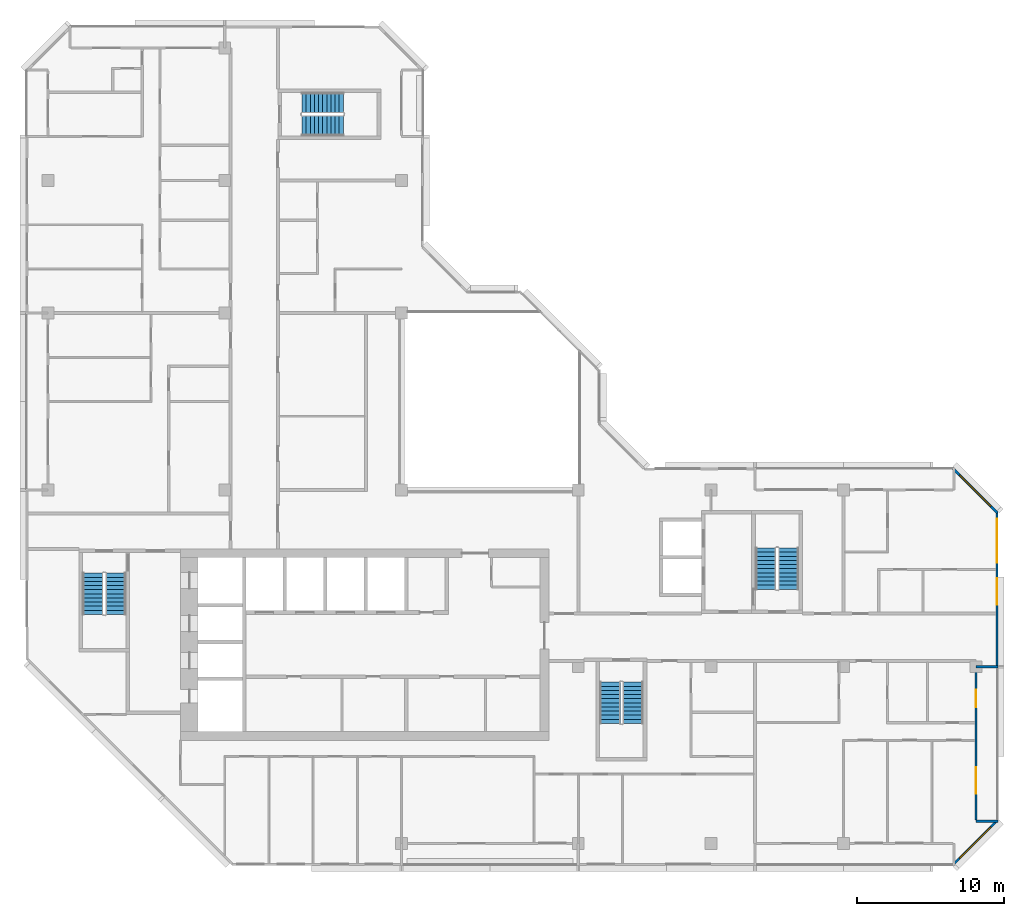
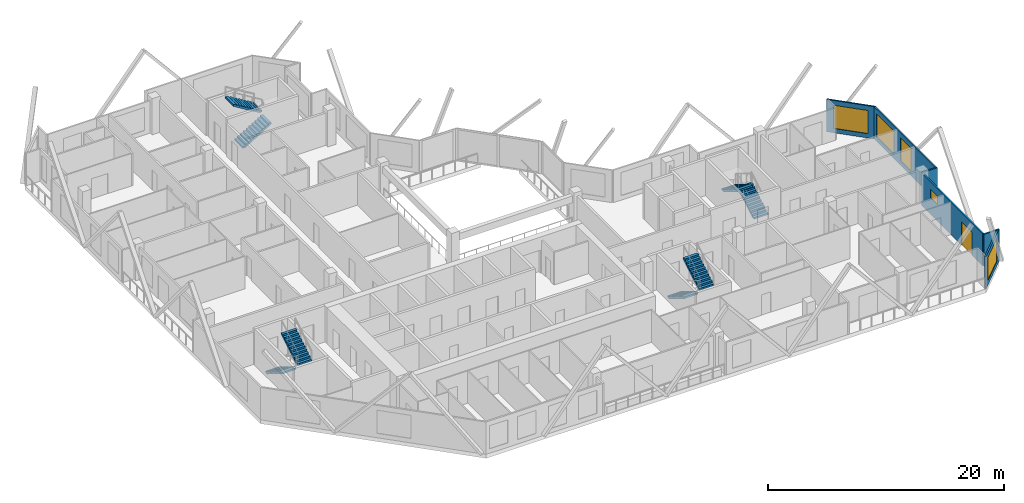
# One storey, part 11 of 13: 8 stair flights, 6 walls, 5 windows, 1 door, 6 openings, 4 elements without a shape of their own.
"""IFC4 building model written with IfcOpenShell, lengths in metres."""

import ifcopenshell
import ifcopenshell.guid

model = None  # the IFC model being written
_history = None  # IfcOwnerHistory: only IFC2X3 demands one
_inside = {}  # id of a spatial element -> (the spatial element, [elements in it])
_under = {}  # id of a project, library or spatial element -> (it, [spatial elements below it])
_declared = {}  # id of a project -> (the project, [libraries it declares])
_typed = {}  # id of a type object -> (the type object, [elements of that type])
_made_of = {}  # id of a material, layer set ... -> (it, [elements and type objects made of it])


def new_model(schema):
    """Start an empty IFC model of exactly this schema.

    Asked for "IFC4X3", IfcOpenShell would pick the latest addendum, in which some entities
    have other attributes; the version numbers below select the first issue.
    IFC2X3 requires an IfcOwnerHistory on every rooted entity: one is made here for all.
    """
    global model, _history
    if schema == "IFC4X3":
        model = ifcopenshell.file(schema_version=(4, 3, 0, 0))
    else:
        model = ifcopenshell.file(schema=schema)
    _inside.clear()
    _under.clear()
    _declared.clear()
    _typed.clear()
    _made_of.clear()
    _history = None
    if model.schema == "IFC2X3":
        org = make("IfcOrganization", Name="unknown")
        user = make(
            "IfcPersonAndOrganization",
            ThePerson=make("IfcPerson", FamilyName="unknown"),
            TheOrganization=org,
        )
        app = make(
            "IfcApplication",
            ApplicationDeveloper=org,
            Version="unknown",
            ApplicationFullName="unknown",
            ApplicationIdentifier="unknown",
        )
        _history = make(
            "IfcOwnerHistory",
            OwningUser=user,
            OwningApplication=app,
            ChangeAction="ADDED",
            CreationDate=0,
        )
    return model


def make(cls, **values):
    """One entity of the class cls with the attributes given. An attribute that is None is left unset."""
    return model.create_entity(
        cls, **{name: value for name, value in values.items() if value is not None}
    )


def rooted(cls, **values):
    """An entity with a GlobalId (a new one), such as an element, a storey or a relation."""
    return make(cls, GlobalId=ifcopenshell.guid.new(), OwnerHistory=_history, **values)


def si_unit(unit_type, name, prefix=None):
    """IfcSIUnit, for example si_unit("LENGTHUNIT", "METRE", prefix="MILLI")."""
    return make("IfcSIUnit", UnitType=unit_type, Prefix=prefix, Name=name)


def assignment(units):
    """IfcUnitAssignment: the units of a project."""
    return None if units is None else make("IfcUnitAssignment", Units=units)


def point(xyz):
    """IfcCartesianPoint."""
    return None if xyz is None else make("IfcCartesianPoint", Coordinates=xyz)


def direction(xyz):
    """IfcDirection."""
    return None if xyz is None else make("IfcDirection", DirectionRatios=xyz)


def frame(location, z_axis=None, x_axis=None):
    """IfcAxis2Placement3D, a coordinate frame: its origin and axes. An axis left out is left unset."""
    return make(
        "IfcAxis2Placement3D",
        Location=point(location),
        Axis=direction(z_axis),
        RefDirection=direction(x_axis),
    )


def frame_2d(location, x_axis=None):
    """IfcAxis2Placement2D, a coordinate frame in the plane: its origin and x axis."""
    return make(
        "IfcAxis2Placement2D", Location=point(location), RefDirection=direction(x_axis)
    )


def origin():
    """The frame at (0, 0, 0) with its axes left unset."""
    return frame((0.0, 0.0, 0.0))


def place(relative_to, where):
    """IfcLocalPlacement: puts the frame where relative to a parent placement (None: the world)."""
    return make(
        "IfcLocalPlacement", PlacementRelTo=relative_to, RelativePlacement=where
    )


def context(
    kind, dimensions, precision=None, world=None, true_north=None, identifier=None
):
    """IfcGeometricRepresentationContext, for example the 3D "Model" context."""
    return make(
        "IfcGeometricRepresentationContext",
        ContextIdentifier=identifier,
        ContextType=kind,
        CoordinateSpaceDimension=dimensions,
        Precision=precision,
        WorldCoordinateSystem=world,
        TrueNorth=true_north,
    )


def subcontext(parent, identifier, kind, view, scale=None):
    """IfcGeometricRepresentationSubContext, for example "Body" below "Model"."""
    return make(
        "IfcGeometricRepresentationSubContext",
        ContextIdentifier=identifier,
        ContextType=kind,
        ParentContext=parent,
        TargetScale=scale,
        TargetView=view,
    )


def project(units=None, contexts=None):
    """IfcProject with its units and contexts."""
    return rooted(
        "IfcProject",
        Name="project",
        RepresentationContexts=contexts,
        UnitsInContext=assignment(units),
    )


def spatial(cls, under=None, at=None, **own):
    """A site, building, storey or space (cls), placed at a placement, below another one or the project."""
    s = rooted(cls, ObjectPlacement=at, **own)
    if under is not None:
        _under.setdefault(under.id(), (under, []))[1].append(s)
    return s


def polyline(points):
    """IfcPolyline through the points."""
    return make("IfcPolyline", Points=[point(p) for p in points])


def profile(cls, at=None, kind="AREA", **sizes):
    """A parametric profile (cls). Its sizes go by their IFC names, for example OverallWidth=200.0."""
    return make(cls, ProfileType=kind, Position=at, **sizes)


def rectangle(**sizes):
    """IfcRectangleProfileDef."""
    return profile("IfcRectangleProfileDef", **sizes)


def outline(outer, holes=None, kind="AREA"):
    """IfcArbitraryClosedProfileDef: a profile drawn as a closed curve; with holes, ...WithVoids."""
    if holes is None:
        return make("IfcArbitraryClosedProfileDef", ProfileType=kind, OuterCurve=outer)
    return make(
        "IfcArbitraryProfileDefWithVoids",
        ProfileType=kind,
        OuterCurve=outer,
        InnerCurves=holes,
    )


def extrude(swept, where, along, depth):
    """IfcExtrudedAreaSolid: the profile swept, set in the frame where, extruded along a direction by depth."""
    return make(
        "IfcExtrudedAreaSolid",
        SweptArea=swept,
        Position=where,
        ExtrudedDirection=direction(along),
        Depth=depth,
    )


def shape(context_of_items, identifier, shape_type, items):
    """IfcShapeRepresentation: the items that make up one representation, for example the "Body"."""
    return make(
        "IfcShapeRepresentation",
        ContextOfItems=context_of_items,
        RepresentationIdentifier=identifier,
        RepresentationType=shape_type,
        Items=items,
    )


def material(Name=None, Category=None):
    """IfcMaterial."""
    return make("IfcMaterial", Name=Name, Category=Category)


def layer(
    of_material, thickness, ventilated=None, Name=None, Category=None, Priority=None
):
    """IfcMaterialLayer: one layer of a wall or slab, of a material (None: an air gap)."""
    return make(
        "IfcMaterialLayer",
        Material=of_material,
        LayerThickness=thickness,
        IsVentilated=ventilated,
        Name=Name,
        Category=Category,
        Priority=Priority,
    )


def layer_set(layers, Name=None):
    """IfcMaterialLayerSet."""
    return make("IfcMaterialLayerSet", MaterialLayers=layers, LayerSetName=Name)


def made_of(thing, what):
    """Note that an element or type object is made of a material, layer set ...; save() writes the relation."""
    if what is not None:
        _made_of.setdefault(what.id(), (what, []))[1].append(thing)
    return thing


def type_object(cls, material=None, **own):
    """A type object (cls), such as IfcWallType, which elements share."""
    return made_of(rooted(cls, **own), material)


def element(
    cls,
    number,
    at=None,
    inside=None,
    cuts=None,
    type_object=None,
    material=None,
    context=None,
    identifier="Body",
    shape_type=None,
    held_by="IfcProductDefinitionShape",
    body=None,
    shapes=None,
    **own,
):
    """One element of the class cls, such as IfcWall. Its Tag is "e" and its number.

    at: its placement. inside: the storey or other place that contains it. cuts: it is an
    opening in that element (IfcRelVoidsElement). A single representation is given by context,
    identifier, shape_type and body (its items); several are given by shapes. held_by: the class
    of the entity that holds the representations. save() writes the other relations.
    """
    e = rooted(cls, Tag="e%d" % number, ObjectPlacement=at, **own)
    if body is not None:
        shapes = [shape(context, identifier, shape_type, body)]
    if shapes is not None:
        e.Representation = make(held_by, Representations=shapes)
    if inside is not None:
        _inside.setdefault(inside.id(), (inside, []))[1].append(e)
    if cuts is not None:
        rooted(
            "IfcRelVoidsElement", RelatingBuildingElement=cuts, RelatedOpeningElement=e
        )
    if type_object is not None:
        _typed.setdefault(type_object.id(), (type_object, []))[1].append(e)
    return made_of(e, material)


def fill(opening, filler):
    """IfcRelFillsElement: the door or window that sits in an opening."""
    return rooted(
        "IfcRelFillsElement",
        RelatingOpeningElement=opening,
        RelatedBuildingElement=filler,
    )


def aggregate(whole, parts):
    """IfcRelAggregates: a whole, such as a stair, and the parts it consists of."""
    return rooted("IfcRelAggregates", RelatingObject=whole, RelatedObjects=parts)


def save(model, path):
    """Write the relations noted so far, then the file.

    IfcRelAggregates (storeys below a building ...), IfcRelContainedInSpatialStructure (elements
    in a storey), IfcRelDefinesByType, IfcRelAssociatesMaterial and IfcRelDeclares: one each for
    every whole, place, type object, material and project.
    """
    for whole, parts in _under.values():
        aggregate(whole, parts)
    for where, things in _inside.values():
        rooted(
            "IfcRelContainedInSpatialStructure",
            RelatedElements=things,
            RelatingStructure=where,
        )
    for kind, things in _typed.values():
        rooted("IfcRelDefinesByType", RelatedObjects=things, RelatingType=kind)
    for what, things in _made_of.values():
        rooted("IfcRelAssociatesMaterial", RelatedObjects=things, RelatingMaterial=what)
    for by, libraries in _declared.values():
        rooted("IfcRelDeclares", RelatingContext=by, RelatedDefinitions=libraries)
    model.write(path)


model = new_model("IFC4")

# Units and contexts
model_context = context("Model", 3, precision=1e-05, world=origin(), true_north=direction((0.0, 1.0)))
body_context = subcontext(model_context, "Body", "Model", "MODEL_VIEW")
ifc_project = project(units=[si_unit("LENGTHUNIT", "METRE"), si_unit("AREAUNIT", "SQUARE_METRE"), si_unit("VOLUMEUNIT", "CUBIC_METRE"), si_unit("PLANEANGLEUNIT", "RADIAN"), si_unit("MASSUNIT", "GRAM", prefix="KILO")], contexts=[model_context])

# Site, building, storey
site_placement = place(None, origin())
site = spatial("IfcSite", under=ifc_project, at=site_placement, CompositionType="ELEMENT")
building_placement = place(site_placement, origin())
building = spatial("IfcBuilding", under=site, at=building_placement, Name="Chenar Terraces", CompositionType="ELEMENT")
storey_placement = place(building_placement, frame((0.0, 0.0, 273.39990234375)))
storey = spatial("IfcBuildingStorey", under=building, at=storey_placement, Name="L63", CompositionType="ELEMENT", Elevation=273.39990234375)

# Wall, openings, windows
ifc_material_1 = material(Name="Aluminium framed glazing", Category="aluminium")
ifc_layer_1 = layer(ifc_material_1, 0.14990234375)
ifc_layer_set_1 = layer_set([ifc_layer_1], Name="Aluminium framed glazing")
wall_type_1 = type_object("IfcWallType", Name="Glazed flush facade wall 150", PredefinedType="SOLIDWALL", material=ifc_layer_set_1)
wall_1_placement = place(storey_placement, frame((64.425048828125, 12.074951171875, 0.0), z_axis=(0.0, 0.0, 1.0), x_axis=(0.0, 1.0, 0.0)))
wall_1 = element("IfcWall", 1, at=wall_1_placement, inside=storey, type_object=wall_type_1, Name="Glazed flush facade wall", PredefinedType="SOLIDWALL", context=body_context, shape_type="SweptSolid", body=[
    extrude(rectangle(XDim=10.425048828125, YDim=0.14990234375, at=frame_2d((5.21240234375, 0.0))), origin(), (0.0, 0.0, 1.0), 3.35009765625),
])
opening_1_placement = place(wall_1_placement, frame((4.125, 0.0, 0.449951171875)))
opening_1 = element("IfcOpeningElement", 2, at=opening_1_placement, cuts=wall_1, Name="Opening W180x240", PredefinedType="OPENING", context=body_context, shape_type="SweptSolid", body=[
    extrude(rectangle(XDim=1.800048828125, YDim=2.39990234375, at=frame_2d((0.89990234375, 1.199951171875))), frame((0.0, 0.0849609375, 0.0), z_axis=(0.0, -1.0, 0.0), x_axis=(1.0, 0.0, 0.0)), (0.0, 0.0, 1.0), 0.169921875),
])
opening_2_placement = place(wall_1_placement, frame((6.97509765625, 0.0, 0.449951171875)))
opening_2 = element("IfcOpeningElement", 3, at=opening_2_placement, cuts=wall_1, Name="Opening W300x240", PredefinedType="OPENING", context=body_context, shape_type="SweptSolid", body=[
    extrude(rectangle(XDim=3.0, YDim=2.39990234375, at=frame_2d((1.5, 1.199951171875))), frame((0.0, 0.0849609375, 0.0), z_axis=(0.0, -1.0, 0.0), x_axis=(1.0, 0.0, 0.0)), (0.0, 0.0, 1.0), 0.169921875),
])
ifc_material_2 = material(Name="Low emissivity double glazing, aluminium frame", Category="aluminium")
window_type_1 = type_object("IfcWindowType", Name="Fixed light 1800 x 2400", PartitioningType="SINGLE_PANEL", PredefinedType="WINDOW", material=ifc_material_2)
window_1_placement = place(opening_1_placement, origin())
window_1 = element("IfcWindow", 4, at=window_1_placement, inside=storey, type_object=window_type_1, Name="Window", OverallHeight=2.39990234375, OverallWidth=1.800048828125, PartitioningType="SINGLE_PANEL", PredefinedType="WINDOW", context=body_context, shape_type="SweptSolid", body=[
    extrude(rectangle(XDim=1.800048828125, YDim=2.39990234375, at=frame_2d((0.89990234375, 1.199951171875))), frame((0.0, 0.030029296875, 0.0), z_axis=(0.0, -1.0, 0.0), x_axis=(1.0, 0.0, 0.0)), (0.0, 0.0, 1.0), 0.06005859375),
])
fill(opening_1, window_1)
ifc_material_3 = material(Name="Low emissivity double glazing, aluminium frame", Category="aluminium")
window_type_2 = type_object("IfcWindowType", Name="Fixed light 3000 x 2400", PartitioningType="SINGLE_PANEL", PredefinedType="WINDOW", material=ifc_material_3)
window_2_placement = place(opening_2_placement, origin())
window_2 = element("IfcWindow", 5, at=window_2_placement, inside=storey, type_object=window_type_2, Name="Window", OverallHeight=2.39990234375, OverallWidth=3.0, PartitioningType="SINGLE_PANEL", PredefinedType="WINDOW", context=body_context, shape_type="SweptSolid", body=[
    extrude(rectangle(XDim=3.0, YDim=2.39990234375, at=frame_2d((1.5, 1.199951171875))), frame((0.0, 0.030029296875, 0.0), z_axis=(0.0, -1.0, 0.0), x_axis=(1.0, 0.0, 0.0)), (0.0, 0.0, 1.0), 0.06005859375),
])
fill(opening_2, window_2)

# Wall, openings, window, door
ifc_material_4 = material(Name="Aluminium framed glazing", Category="aluminium")
ifc_layer_2 = layer(ifc_material_4, 0.14990234375)
ifc_layer_set_2 = layer_set([ifc_layer_2], Name="Aluminium framed glazing")
wall_type_2 = type_object("IfcWallType", Name="Glazed loggia back wall 150", PredefinedType="SOLIDWALL", material=ifc_layer_set_2)
wall_2_placement = place(storey_placement, frame((63.0, 1.574951171875, 0.0), z_axis=(0.0, 0.0, 1.0), x_axis=(0.0, 1.0, 0.0)))
wall_2 = element("IfcWall", 6, at=wall_2_placement, inside=storey, type_object=wall_type_2, Name="Glazed loggia back wall", PredefinedType="SOLIDWALL", context=body_context, shape_type="SweptSolid", body=[
    extrude(rectangle(XDim=10.35009765625, YDim=0.14990234375, at=frame_2d((5.175048828125, 0.0))), origin(), (0.0, 0.0, 1.0), 3.35009765625),
])
opening_3_placement = place(wall_2_placement, frame((1.8125, 0.0, 0.0)))
opening_3 = element("IfcOpeningElement", 7, at=opening_3_placement, cuts=wall_2, Name="Opening DL63-G6", PredefinedType="OPENING", context=body_context, shape_type="SweptSolid", body=[
    extrude(rectangle(XDim=1.800048828125, YDim=2.39990234375, at=frame_2d((0.89990234375, 1.199951171875))), frame((0.0, 0.0849609375, 0.0), z_axis=(0.0, -1.0, 0.0), x_axis=(1.0, 0.0, 0.0)), (0.0, 0.0, 1.0), 0.169921875),
])
opening_4_placement = place(wall_2_placement, frame((7.675048828125, 0.0, 1.699951171875)))
opening_4 = element("IfcOpeningElement", 8, at=opening_4_placement, cuts=wall_2, Name="Opening W120x90", PredefinedType="OPENING", context=body_context, shape_type="SweptSolid", body=[
    extrude(rectangle(XDim=1.199951171875, YDim=0.89990234375, at=frame_2d((0.60009765625, 0.449951171875))), frame((0.0, 0.0849609375, 0.0), z_axis=(0.0, -1.0, 0.0), x_axis=(1.0, 0.0, 0.0)), (0.0, 0.0, 1.0), 0.169921875),
])
ifc_material_5 = material(Name="Low emissivity double glazing, aluminium frame", Category="aluminium")
window_type_3 = type_object("IfcWindowType", Name="Fixed light 1200 x 900", PartitioningType="SINGLE_PANEL", PredefinedType="WINDOW", material=ifc_material_5)
window_3_placement = place(opening_4_placement, origin())
window_3 = element("IfcWindow", 9, at=window_3_placement, inside=storey, type_object=window_type_3, Name="Window", OverallHeight=0.89990234375, OverallWidth=1.199951171875, PartitioningType="SINGLE_PANEL", PredefinedType="WINDOW", context=body_context, shape_type="SweptSolid", body=[
    extrude(rectangle(XDim=1.199951171875, YDim=0.89990234375, at=frame_2d((0.60009765625, 0.449951171875))), frame((0.0, 0.030029296875, 0.0), z_axis=(0.0, -1.0, 0.0), x_axis=(1.0, 0.0, 0.0)), (0.0, 0.0, 1.0), 0.06005859375),
])
fill(opening_4, window_3)
ifc_material_6 = material(Name="Low emissivity double glazing, aluminium frame", Category="aluminium")
door_type = type_object("IfcDoorType", Name="Loggia glazed double door 1800 x 2400", OperationType="DOUBLE_DOOR_SINGLE_SWING", PredefinedType="DOOR", material=ifc_material_6)
door_placement = place(opening_3_placement, frame((1.800048828125, 0.0, 0.0), z_axis=(0.0, 0.0, 1.0), x_axis=(-1.0, 0.0, 0.0)))
door = element("IfcDoor", 10, at=door_placement, inside=storey, type_object=door_type, Name="Loggia glazed door", OperationType="DOUBLE_DOOR_SINGLE_SWING", OverallHeight=2.39990234375, OverallWidth=1.800048828125, PredefinedType="DOOR", context=body_context, shape_type="SweptSolid", body=[
    extrude(rectangle(XDim=1.800048828125, YDim=2.39990234375, at=frame_2d((0.89990234375, 1.199951171875))), frame((0.0, 0.02490234375, 0.0), z_axis=(0.0, -1.0, 0.0), x_axis=(1.0, 0.0, 0.0)), (0.0, 0.0, 1.0), 0.050048828125),
])
fill(opening_3, door)

# Walls
ifc_material_7 = material(Name="Terracotta cladding on insulated backing", Category="masonry")
ifc_layer_3 = layer(ifc_material_7, 0.14990234375)
ifc_layer_set_3 = layer_set([ifc_layer_3], Name="Terracotta cladding on insulated backing")
wall_type_3 = type_object("IfcWallType", Name="Loggia return wall 150", PredefinedType="SOLIDWALL", material=ifc_layer_set_3)
for number, where, z_axis, x_axis, name in (
    (11, (64.5, 1.5, 0.0), (0.0, 0.0, 1.0), (-1.0, 0.0, 0.0), "Loggia return wall"),
    (12, (64.5, 12.0, 0.0), (0.0, 0.0, 1.0), (-1.0, 0.0, 0.0), "Loggia return wall"),
):
    element("IfcWall", number, at=place(storey_placement, frame(where, z_axis=z_axis, x_axis=x_axis)), inside=storey, type_object=wall_type_3, Name=name, PredefinedType="SOLIDWALL", context=body_context, shape_type="SweptSolid", body=[
        extrude(rectangle(XDim=1.5, YDim=0.14990234375, at=frame_2d((0.75, 0.0))), origin(), (0.0, 0.0, 1.0), 3.35009765625),
    ])

# Wall, opening, window
ifc_material_8 = material(Name="Terracotta cladding on insulated backing", Category="masonry")
ifc_layer_4 = layer(ifc_material_8, 0.14990234375)
ifc_layer_set_4 = layer_set([ifc_layer_4], Name="Terracotta cladding on insulated backing")
wall_type_4 = type_object("IfcWallType", Name="Terracotta rainscreen wall 150", PredefinedType="SOLIDWALL", material=ifc_layer_set_4)
wall_3_placement = place(storey_placement, frame((61.447021484375, -1.447021484375, 0.0), z_axis=(0.0, 0.0, 1.0), x_axis=(0.707106781187, 0.707106781187, 0.0)))
wall_3 = element("IfcWall", 13, at=wall_3_placement, inside=storey, type_object=wall_type_4, Name="Terracotta rainscreen wall", PredefinedType="SOLIDWALL", context=body_context, shape_type="SweptSolid", body=[
    extrude(rectangle(XDim=4.24267578125, YDim=0.14990234375, at=frame_2d((2.121337890625, 0.0))), origin(), (0.0, 0.0, 1.0), 3.35009765625),
])
opening_5_placement = place(wall_3_placement, frame((0.621337890625, 0.0, 0.449951171875)))
opening_5 = element("IfcOpeningElement", 14, at=opening_5_placement, cuts=wall_3, Name="Opening W300x240", PredefinedType="OPENING", context=body_context, shape_type="SweptSolid", body=[
    extrude(rectangle(XDim=3.0, YDim=2.39990234375, at=frame_2d((1.5, 1.199951171875))), frame((0.0, 0.0849609375, 0.0), z_axis=(0.0, -1.0, 0.0), x_axis=(1.0, 0.0, 0.0)), (0.0, 0.0, 1.0), 0.169921875),
])
window_4_placement = place(opening_5_placement, origin())
window_4 = element("IfcWindow", 15, at=window_4_placement, inside=storey, type_object=window_type_2, Name="Window", OverallHeight=2.39990234375, OverallWidth=3.0, PartitioningType="SINGLE_PANEL", PredefinedType="WINDOW", context=body_context, shape_type="SweptSolid", body=[
    extrude(rectangle(XDim=3.0, YDim=2.39990234375, at=frame_2d((1.5, 1.199951171875))), frame((0.0, 0.030029296875, 0.0), z_axis=(0.0, -1.0, 0.0), x_axis=(1.0, 0.0, 0.0)), (0.0, 0.0, 1.0), 0.06005859375),
])
fill(opening_5, window_4)

wall_4_placement = place(storey_placement, frame((64.447021484375, 22.447021484375, 0.0), z_axis=(0.0, 0.0, 1.0), x_axis=(-0.707106781187, 0.707106781187, 0.0)))
wall_4 = element("IfcWall", 16, at=wall_4_placement, inside=storey, type_object=wall_type_4, Name="Terracotta rainscreen wall", PredefinedType="SOLIDWALL", context=body_context, shape_type="SweptSolid", body=[
    extrude(rectangle(XDim=4.24267578125, YDim=0.14990234375, at=frame_2d((2.121337890625, 0.0))), origin(), (0.0, 0.0, 1.0), 3.35009765625),
])
opening_6_placement = place(wall_4_placement, frame((0.621337890625, 0.0, 0.449951171875)))
opening_6 = element("IfcOpeningElement", 17, at=opening_6_placement, cuts=wall_4, Name="Opening W300x240", PredefinedType="OPENING", context=body_context, shape_type="SweptSolid", body=[
    extrude(rectangle(XDim=3.0, YDim=2.39990234375, at=frame_2d((1.5, 1.199951171875))), frame((0.0, 0.0849609375, 0.0), z_axis=(0.0, -1.0, 0.0), x_axis=(1.0, 0.0, 0.0)), (0.0, 0.0, 1.0), 0.169921875),
])
window_5_placement = place(opening_6_placement, origin())
window_5 = element("IfcWindow", 18, at=window_5_placement, inside=storey, type_object=window_type_2, Name="Window", OverallHeight=2.39990234375, OverallWidth=3.0, PartitioningType="SINGLE_PANEL", PredefinedType="WINDOW", context=body_context, shape_type="SweptSolid", body=[
    extrude(rectangle(XDim=3.0, YDim=2.39990234375, at=frame_2d((1.5, 1.199951171875))), frame((0.0, 0.030029296875, 0.0), z_axis=(0.0, -1.0, 0.0), x_axis=(1.0, 0.0, 0.0)), (0.0, 0.0, 1.0), 0.06005859375),
])
fill(opening_6, window_5)

# Stair, stair flights
ifc_material_9 = material(Name="Reinforced concrete C40/50", Category="concrete")
stair_type = type_object("IfcStairType", Name="Core stair 1400 half-turn", PredefinedType="HALF_TURN_STAIR", material=ifc_material_9)
placement = place(storey_placement, origin())
stair_1 = element("IfcStair", 19, at=placement, inside=storey, type_object=stair_type, Name="L63 Stair 1", PredefinedType="HALF_TURN_STAIR")
ifc_material_10 = material(Name="Reinforced concrete C40/50", Category="concrete")
stair_flight_type = type_object("IfcStairFlightType", Name="Core stair flight 1400", PredefinedType="STRAIGHT", material=ifc_material_10)
stair_flight_1_placement = place(storey_placement, frame((3.050048828125, 18.35009765625, 0.0), z_axis=(0.0, 0.0, 1.0), x_axis=(0.0, -1.0, 0.0)))
stair_flight_1 = element("IfcStairFlight", 20, at=stair_flight_1_placement, type_object=stair_flight_type, Name="ST1 flight 1", NumberOfRisers=11, NumberOfTreads=10, PredefinedType="STRAIGHT", RiserHeight=0.170454545, TreadLength=0.28, context=body_context, shape_type="SweptSolid", body=[
    extrude(outline(polyline([(-0.0029296875, 0.0), (-0.0029296875, 0.17041015625), (0.0, 0.17041015625), (0.280029296875, 0.17041015625), (0.280029296875, 0.3408203125), (0.56005859375, 0.3408203125), (0.56005859375, 0.511474609375), (0.840087890625, 0.511474609375), (0.840087890625, 0.681884765625), (1.1201171875, 0.681884765625), (1.1201171875, 0.852294921875), (1.39990234375, 0.852294921875), (1.39990234375, 1.022705078125), (1.679931640625, 1.022705078125), (1.679931640625, 1.193115234375), (1.9599609375, 1.193115234375), (1.9599609375, 1.363525390625), (2.239990234375, 1.363525390625), (2.239990234375, 1.5341796875), (2.52001953125, 1.5341796875), (2.52001953125, 1.70458984375), (2.800048828125, 1.70458984375), (2.802978515625, 1.70458984375), (2.802978515625, 1.529052734375), (2.800048828125, 1.529052734375), (0.288330078125, 0.0), (-0.0029296875, 0.0)])), frame((0.0, 0.699951171875, 0.0), z_axis=(0.0, -1.0, 0.0), x_axis=(1.0, 0.0, 0.0)), (0.0, 0.0, 1.0), 1.39990234375),
])
stair_flight_2_placement = place(storey_placement, frame((4.60009765625, 15.550048828125, 1.875), z_axis=(0.0, 0.0, 1.0), x_axis=(0.0, 1.0, 0.0)))
stair_flight_2 = element("IfcStairFlight", 21, at=stair_flight_2_placement, type_object=stair_flight_type, Name="ST1 flight 2", NumberOfRisers=11, NumberOfTreads=10, PredefinedType="STRAIGHT", RiserHeight=0.170454545, TreadLength=0.28, context=body_context, shape_type="SweptSolid", body=[
    extrude(outline(polyline([(-0.0029296875, 0.0), (-0.0029296875, 0.17041015625), (0.0, 0.17041015625), (0.280029296875, 0.17041015625), (0.280029296875, 0.3408203125), (0.56005859375, 0.3408203125), (0.56005859375, 0.511474609375), (0.840087890625, 0.511474609375), (0.840087890625, 0.681884765625), (1.1201171875, 0.681884765625), (1.1201171875, 0.852294921875), (1.39990234375, 0.852294921875), (1.39990234375, 1.022705078125), (1.679931640625, 1.022705078125), (1.679931640625, 1.193115234375), (1.9599609375, 1.193115234375), (1.9599609375, 1.363525390625), (2.239990234375, 1.363525390625), (2.239990234375, 1.5341796875), (2.52001953125, 1.5341796875), (2.52001953125, 1.70458984375), (2.800048828125, 1.70458984375), (2.802978515625, 1.70458984375), (2.802978515625, 1.529052734375), (2.800048828125, 1.529052734375), (0.288330078125, 0.0), (-0.0029296875, 0.0)])), frame((0.0, 0.699951171875, 0.0), z_axis=(0.0, -1.0, 0.0), x_axis=(1.0, 0.0, 0.0)), (0.0, 0.0, 1.0), 1.39990234375),
])
aggregate(stair_1, [stair_flight_1, stair_flight_2])

stair_2 = element("IfcStair", 22, at=placement, inside=storey, type_object=stair_type, Name="L63 Stair 2", PredefinedType="HALF_TURN_STAIR")
stair_flight_3_placement = place(storey_placement, frame((38.14990234375, 10.949951171875, 0.0), z_axis=(0.0, 0.0, 1.0), x_axis=(0.0, -1.0, 0.0)))
stair_flight_3 = element("IfcStairFlight", 23, at=stair_flight_3_placement, type_object=stair_flight_type, Name="ST2 flight 1", NumberOfRisers=11, NumberOfTreads=10, PredefinedType="STRAIGHT", RiserHeight=0.170454545, TreadLength=0.28, context=body_context, shape_type="SweptSolid", body=[
    extrude(outline(polyline([(-0.0029296875, 0.0), (-0.0029296875, 0.17041015625), (0.0, 0.17041015625), (0.280029296875, 0.17041015625), (0.280029296875, 0.3408203125), (0.56005859375, 0.3408203125), (0.56005859375, 0.511474609375), (0.840087890625, 0.511474609375), (0.840087890625, 0.681884765625), (1.1201171875, 0.681884765625), (1.1201171875, 0.852294921875), (1.39990234375, 0.852294921875), (1.39990234375, 1.022705078125), (1.679931640625, 1.022705078125), (1.679931640625, 1.193115234375), (1.9599609375, 1.193115234375), (1.9599609375, 1.363525390625), (2.239990234375, 1.363525390625), (2.239990234375, 1.5341796875), (2.52001953125, 1.5341796875), (2.52001953125, 1.70458984375), (2.800048828125, 1.70458984375), (2.802978515625, 1.70458984375), (2.802978515625, 1.529052734375), (2.800048828125, 1.529052734375), (0.288330078125, 0.0), (-0.0029296875, 0.0)])), frame((0.0, 0.699951171875, 0.0), z_axis=(0.0, -1.0, 0.0), x_axis=(1.0, 0.0, 0.0)), (0.0, 0.0, 1.0), 1.39990234375),
])
stair_flight_4_placement = place(storey_placement, frame((39.699951171875, 8.14990234375, 1.875), z_axis=(0.0, 0.0, 1.0), x_axis=(0.0, 1.0, 0.0)))
stair_flight_4 = element("IfcStairFlight", 24, at=stair_flight_4_placement, type_object=stair_flight_type, Name="ST2 flight 2", NumberOfRisers=11, NumberOfTreads=10, PredefinedType="STRAIGHT", RiserHeight=0.170454545, TreadLength=0.28, context=body_context, shape_type="SweptSolid", body=[
    extrude(outline(polyline([(-0.0029296875, 0.0), (-0.0029296875, 0.17041015625), (0.0, 0.17041015625), (0.280029296875, 0.17041015625), (0.280029296875, 0.3408203125), (0.56005859375, 0.3408203125), (0.56005859375, 0.511474609375), (0.840087890625, 0.511474609375), (0.840087890625, 0.681884765625), (1.1201171875, 0.681884765625), (1.1201171875, 0.852294921875), (1.39990234375, 0.852294921875), (1.39990234375, 1.022705078125), (1.679931640625, 1.022705078125), (1.679931640625, 1.193115234375), (1.9599609375, 1.193115234375), (1.9599609375, 1.363525390625), (2.239990234375, 1.363525390625), (2.239990234375, 1.5341796875), (2.52001953125, 1.5341796875), (2.52001953125, 1.70458984375), (2.800048828125, 1.70458984375), (2.802978515625, 1.70458984375), (2.802978515625, 1.529052734375), (2.800048828125, 1.529052734375), (0.288330078125, 0.0), (-0.0029296875, 0.0)])), frame((0.0, 0.699951171875, 0.0), z_axis=(0.0, -1.0, 0.0), x_axis=(1.0, 0.0, 0.0)), (0.0, 0.0, 1.0), 1.39990234375),
])
aggregate(stair_2, [stair_flight_3, stair_flight_4])

stair_3 = element("IfcStair", 25, at=placement, inside=storey, type_object=stair_type, Name="L63 Stair 3", PredefinedType="HALF_TURN_STAIR")
stair_flight_5_placement = place(storey_placement, frame((50.27490234375, 17.25, 0.0), z_axis=(0.0, 0.0, 1.0), x_axis=(0.0, 1.0, 0.0)))
stair_flight_5 = element("IfcStairFlight", 26, at=stair_flight_5_placement, type_object=stair_flight_type, Name="ST3 flight 1", NumberOfRisers=11, NumberOfTreads=10, PredefinedType="STRAIGHT", RiserHeight=0.170454545, TreadLength=0.28, context=body_context, shape_type="SweptSolid", body=[
    extrude(outline(polyline([(-0.0029296875, 0.0), (-0.0029296875, 0.17041015625), (0.0, 0.17041015625), (0.280029296875, 0.17041015625), (0.280029296875, 0.3408203125), (0.56005859375, 0.3408203125), (0.56005859375, 0.511474609375), (0.840087890625, 0.511474609375), (0.840087890625, 0.681884765625), (1.1201171875, 0.681884765625), (1.1201171875, 0.852294921875), (1.39990234375, 0.852294921875), (1.39990234375, 1.022705078125), (1.679931640625, 1.022705078125), (1.679931640625, 1.193115234375), (1.9599609375, 1.193115234375), (1.9599609375, 1.363525390625), (2.239990234375, 1.363525390625), (2.239990234375, 1.5341796875), (2.52001953125, 1.5341796875), (2.52001953125, 1.70458984375), (2.800048828125, 1.70458984375), (2.802978515625, 1.70458984375), (2.802978515625, 1.529052734375), (2.800048828125, 1.529052734375), (0.288330078125, 0.0), (-0.0029296875, 0.0)])), frame((0.0, 0.699951171875, 0.0), z_axis=(0.0, -1.0, 0.0), x_axis=(1.0, 0.0, 0.0)), (0.0, 0.0, 1.0), 1.39990234375),
])
stair_flight_6_placement = place(storey_placement, frame((48.72509765625, 20.050048828125, 1.875), z_axis=(0.0, 0.0, 1.0), x_axis=(0.0, -1.0, 0.0)))
stair_flight_6 = element("IfcStairFlight", 27, at=stair_flight_6_placement, type_object=stair_flight_type, Name="ST3 flight 2", NumberOfRisers=11, NumberOfTreads=10, PredefinedType="STRAIGHT", RiserHeight=0.170454545, TreadLength=0.28, context=body_context, shape_type="SweptSolid", body=[
    extrude(outline(polyline([(-0.0029296875, 0.0), (-0.0029296875, 0.17041015625), (0.0, 0.17041015625), (0.280029296875, 0.17041015625), (0.280029296875, 0.3408203125), (0.56005859375, 0.3408203125), (0.56005859375, 0.511474609375), (0.840087890625, 0.511474609375), (0.840087890625, 0.681884765625), (1.1201171875, 0.681884765625), (1.1201171875, 0.852294921875), (1.39990234375, 0.852294921875), (1.39990234375, 1.022705078125), (1.679931640625, 1.022705078125), (1.679931640625, 1.193115234375), (1.9599609375, 1.193115234375), (1.9599609375, 1.363525390625), (2.239990234375, 1.363525390625), (2.239990234375, 1.5341796875), (2.52001953125, 1.5341796875), (2.52001953125, 1.70458984375), (2.800048828125, 1.70458984375), (2.802978515625, 1.70458984375), (2.802978515625, 1.529052734375), (2.800048828125, 1.529052734375), (0.288330078125, 0.0), (-0.0029296875, 0.0)])), frame((0.0, 0.699951171875, 0.0), z_axis=(0.0, -1.0, 0.0), x_axis=(1.0, 0.0, 0.0)), (0.0, 0.0, 1.0), 1.39990234375),
])
aggregate(stair_3, [stair_flight_5, stair_flight_6])

stair_4 = element("IfcStair", 28, at=placement, inside=storey, type_object=stair_type, Name="L63 Stair 4", PredefinedType="HALF_TURN_STAIR")
stair_flight_7_placement = place(storey_placement, frame((17.25, 48.72509765625, 0.0), z_axis=(0.0, 0.0, 1.0), x_axis=(1.0, 0.0, 0.0)))
stair_flight_7 = element("IfcStairFlight", 29, at=stair_flight_7_placement, type_object=stair_flight_type, Name="ST4 flight 1", NumberOfRisers=11, NumberOfTreads=10, PredefinedType="STRAIGHT", RiserHeight=0.170454545, TreadLength=0.28, context=body_context, shape_type="SweptSolid", body=[
    extrude(outline(polyline([(-0.0029296875, 0.0), (-0.0029296875, 0.17041015625), (0.0, 0.17041015625), (0.280029296875, 0.17041015625), (0.280029296875, 0.3408203125), (0.56005859375, 0.3408203125), (0.56005859375, 0.511474609375), (0.840087890625, 0.511474609375), (0.840087890625, 0.681884765625), (1.1201171875, 0.681884765625), (1.1201171875, 0.852294921875), (1.39990234375, 0.852294921875), (1.39990234375, 1.022705078125), (1.679931640625, 1.022705078125), (1.679931640625, 1.193115234375), (1.9599609375, 1.193115234375), (1.9599609375, 1.363525390625), (2.239990234375, 1.363525390625), (2.239990234375, 1.5341796875), (2.52001953125, 1.5341796875), (2.52001953125, 1.70458984375), (2.800048828125, 1.70458984375), (2.802978515625, 1.70458984375), (2.802978515625, 1.529052734375), (2.800048828125, 1.529052734375), (0.288330078125, 0.0), (-0.0029296875, 0.0)])), frame((0.0, 0.699951171875, 0.0), z_axis=(0.0, -1.0, 0.0), x_axis=(1.0, 0.0, 0.0)), (0.0, 0.0, 1.0), 1.39990234375),
])
stair_flight_8_placement = place(storey_placement, frame((20.050048828125, 50.27490234375, 1.875), z_axis=(0.0, 0.0, 1.0), x_axis=(-1.0, 0.0, 0.0)))
stair_flight_8 = element("IfcStairFlight", 30, at=stair_flight_8_placement, type_object=stair_flight_type, Name="ST4 flight 2", NumberOfRisers=11, NumberOfTreads=10, PredefinedType="STRAIGHT", RiserHeight=0.170454545, TreadLength=0.28, context=body_context, shape_type="SweptSolid", body=[
    extrude(outline(polyline([(-0.0029296875, 0.0), (-0.0029296875, 0.17041015625), (0.0, 0.17041015625), (0.280029296875, 0.17041015625), (0.280029296875, 0.3408203125), (0.56005859375, 0.3408203125), (0.56005859375, 0.511474609375), (0.840087890625, 0.511474609375), (0.840087890625, 0.681884765625), (1.1201171875, 0.681884765625), (1.1201171875, 0.852294921875), (1.39990234375, 0.852294921875), (1.39990234375, 1.022705078125), (1.679931640625, 1.022705078125), (1.679931640625, 1.193115234375), (1.9599609375, 1.193115234375), (1.9599609375, 1.363525390625), (2.239990234375, 1.363525390625), (2.239990234375, 1.5341796875), (2.52001953125, 1.5341796875), (2.52001953125, 1.70458984375), (2.800048828125, 1.70458984375), (2.802978515625, 1.70458984375), (2.802978515625, 1.529052734375), (2.800048828125, 1.529052734375), (0.288330078125, 0.0), (-0.0029296875, 0.0)])), frame((0.0, 0.699951171875, 0.0), z_axis=(0.0, -1.0, 0.0), x_axis=(1.0, 0.0, 0.0)), (0.0, 0.0, 1.0), 1.39990234375),
])
aggregate(stair_4, [stair_flight_7, stair_flight_8])

save(model, "model.ifc")
